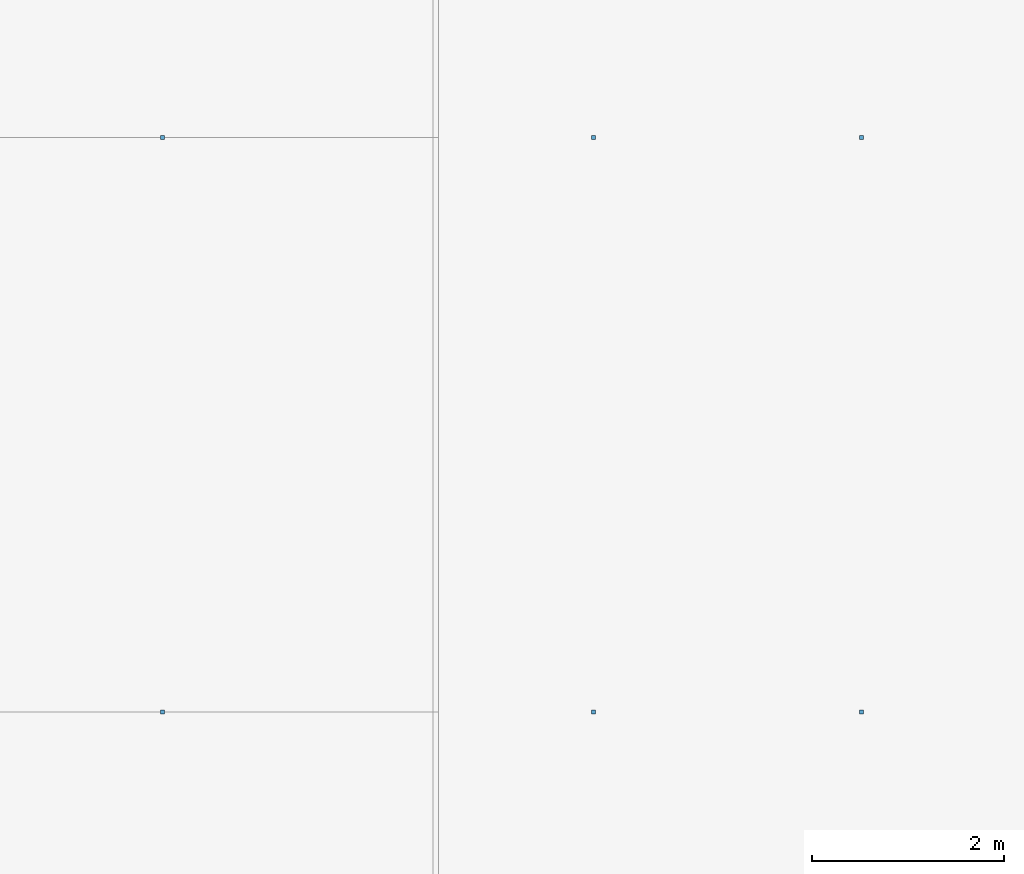
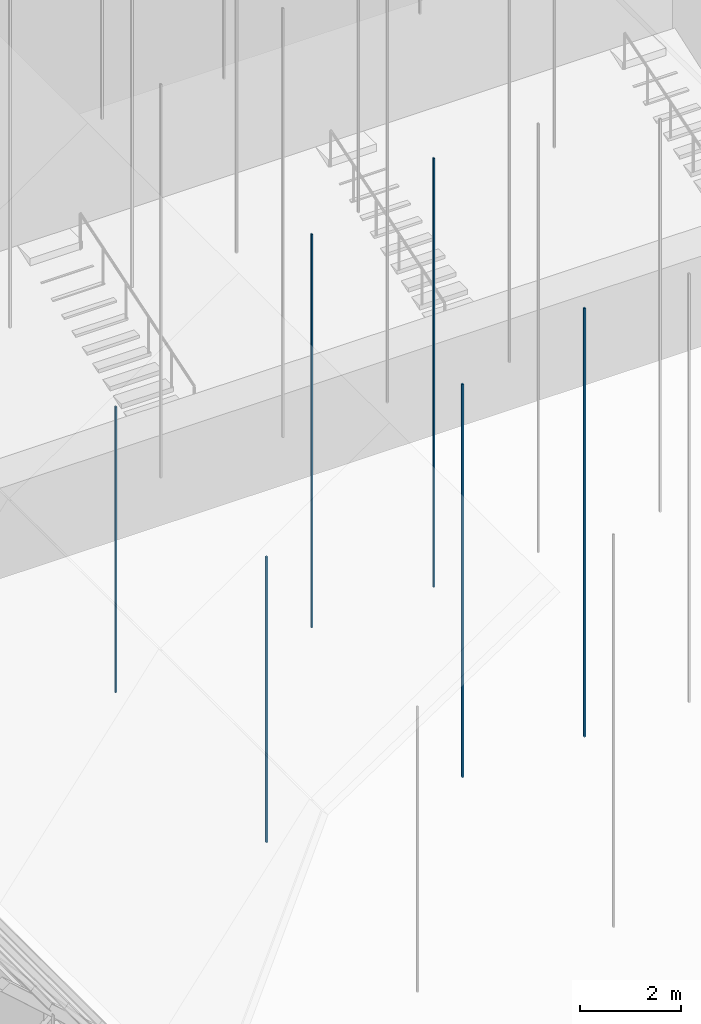
# One storey, part 72 of 118: 6 discrete accessories.
"""IFC4 building model written with IfcOpenShell, lengths in metres."""

from ifc_helpers import new_model, si_unit, direction, frame, origin, origin_2d, place, context, subcontext, project, spatial, rectangle, extrude, element, save


model = new_model("IFC4")

# Units and contexts
model_context = context("Model", 3, precision=1e-05, world=origin(), true_north=direction((0.0, 1.0)))
body_context = subcontext(model_context, "Body", "Model", "MODEL_VIEW")
ifc_project = project(units=[si_unit("LENGTHUNIT", "METRE"), si_unit("AREAUNIT", "SQUARE_METRE"), si_unit("VOLUMEUNIT", "CUBIC_METRE"), si_unit("PLANEANGLEUNIT", "RADIAN"), si_unit("MASSUNIT", "GRAM", prefix="KILO")], contexts=[model_context])

# Site, building, storey
site_placement = place(None, origin())
site = spatial("IfcSite", under=ifc_project, at=site_placement, CompositionType="ELEMENT")
building_placement = place(site_placement, origin())
building = spatial("IfcBuilding", under=site, at=building_placement, Name="Saffron Lane Theatres", CompositionType="ELEMENT")
storey_placement = place(building_placement, frame((0.0, 0.0, 16.5)))
storey = spatial("IfcBuildingStorey", under=building, at=storey_placement, Name="L03", CompositionType="ELEMENT", Elevation=16.5)

# Discrete accessories
discrete_accessory_1_placement = place(storey_placement, frame((24.5, 66.0, 4.56005859375), z_axis=(0.0, 0.0, 1.0), x_axis=(1.0, 0.0, 0.0)))
element("IfcDiscreteAccessory", 1, at=discrete_accessory_1_placement, inside=storey, Name="Ceiling hanger", PredefinedType="BRACKET", context=body_context, shape_type="SweptSolid", body=[
    extrude(rectangle(XDim=0.0400390625, YDim=0.0400390625, at=origin_2d()), origin(), (0.0, 0.0, 1.0), 6.9375),
])
discrete_accessory_2_placement = place(storey_placement, frame((29.0, 66.0, 4.56005859375), z_axis=(0.0, 0.0, 1.0), x_axis=(1.0, 0.0, 0.0)))
element("IfcDiscreteAccessory", 2, at=discrete_accessory_2_placement, inside=storey, Name="Ceiling hanger", PredefinedType="BRACKET", context=body_context, shape_type="SweptSolid", body=[
    extrude(rectangle(XDim=0.0400390625, YDim=0.0400390625, at=origin_2d()), origin(), (0.0, 0.0, 1.0), 9.54833984375),
])
discrete_accessory_3_placement = place(storey_placement, frame((31.800048828125, 66.0, 4.56005859375), z_axis=(0.0, 0.0, 1.0), x_axis=(1.0, 0.0, 0.0)))
element("IfcDiscreteAccessory", 3, at=discrete_accessory_3_placement, inside=storey, Name="Ceiling hanger", PredefinedType="BRACKET", context=body_context, shape_type="SweptSolid", body=[
    extrude(rectangle(XDim=0.0400390625, YDim=0.0400390625, at=origin_2d()), origin(), (0.0, 0.0, 1.0), 10.412841796875),
])
discrete_accessory_4_placement = place(storey_placement, frame((24.5, 72.0, 4.56005859375), z_axis=(0.0, 0.0, 1.0), x_axis=(1.0, 0.0, 0.0)))
element("IfcDiscreteAccessory", 4, at=discrete_accessory_4_placement, inside=storey, Name="Ceiling hanger", PredefinedType="BRACKET", context=body_context, shape_type="SweptSolid", body=[
    extrude(rectangle(XDim=0.0400390625, YDim=0.0400390625, at=origin_2d()), origin(), (0.0, 0.0, 1.0), 6.9375),
])
discrete_accessory_5_placement = place(storey_placement, frame((29.0, 72.0, 4.56005859375), z_axis=(0.0, 0.0, 1.0), x_axis=(1.0, 0.0, 0.0)))
element("IfcDiscreteAccessory", 5, at=discrete_accessory_5_placement, inside=storey, Name="Ceiling hanger", PredefinedType="BRACKET", context=body_context, shape_type="SweptSolid", body=[
    extrude(rectangle(XDim=0.0400390625, YDim=0.0400390625, at=origin_2d()), origin(), (0.0, 0.0, 1.0), 9.54833984375),
])
discrete_accessory_6_placement = place(storey_placement, frame((31.800048828125, 72.0, 4.56005859375), z_axis=(0.0, 0.0, 1.0), x_axis=(1.0, 0.0, 0.0)))
element("IfcDiscreteAccessory", 6, at=discrete_accessory_6_placement, inside=storey, Name="Ceiling hanger", PredefinedType="BRACKET", context=body_context, shape_type="SweptSolid", body=[
    extrude(rectangle(XDim=0.0400390625, YDim=0.0400390625, at=origin_2d()), origin(), (0.0, 0.0, 1.0), 10.412841796875),
])

save(model, "model.ifc")
